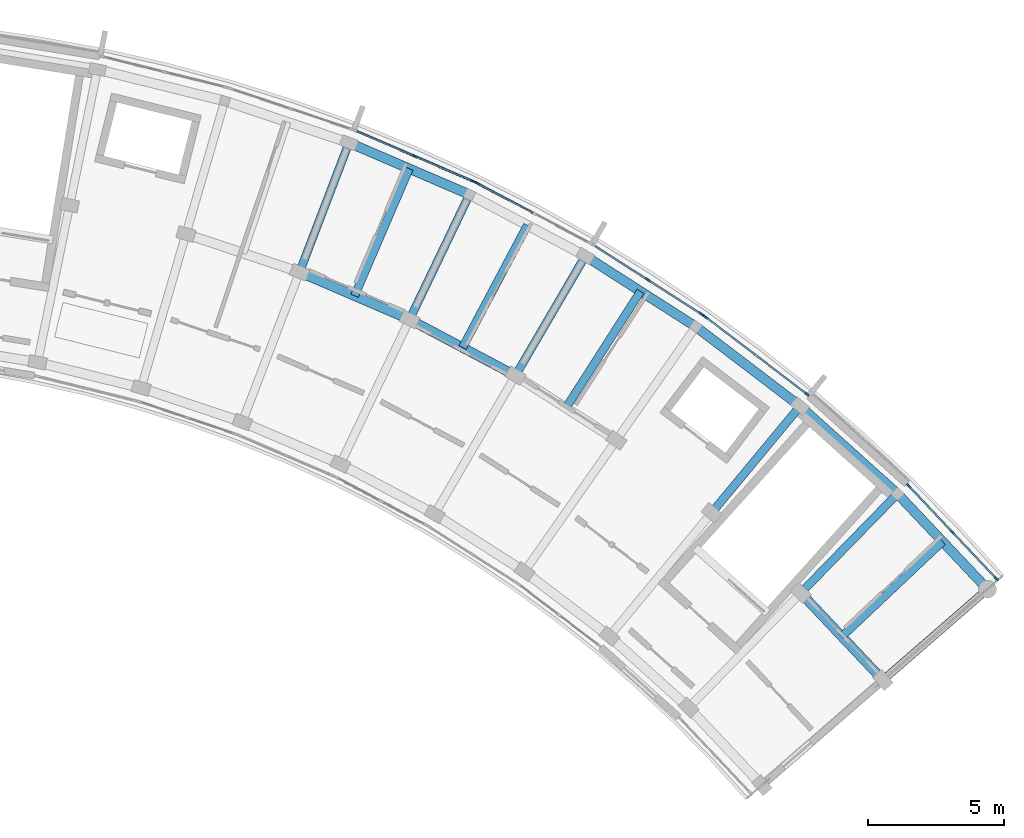
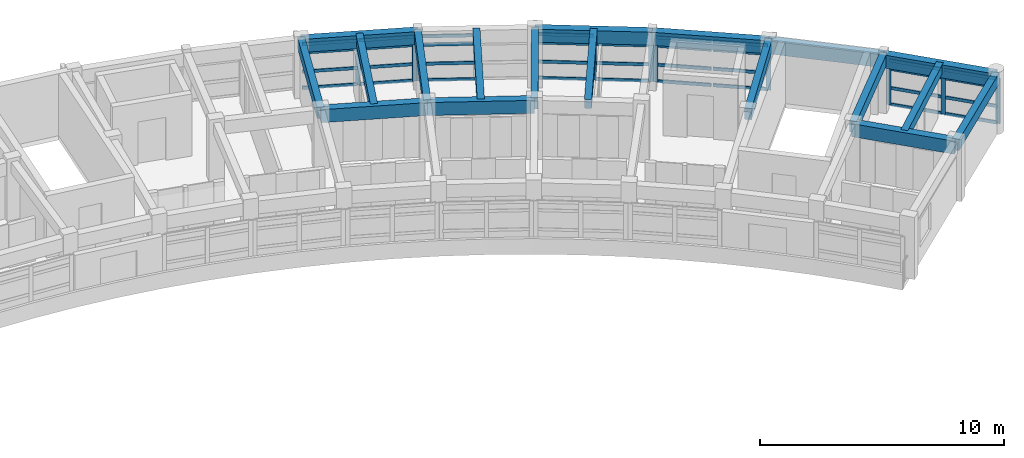
# One storey, part 8 of 23: 45 members, 18 beams, 5 elements without a shape of their own.
"""IFC4 building model written with IfcOpenShell, lengths in metres."""

from ifc_helpers import new_model, si_unit, direction, frame, origin, origin_2d, place, context, subcontext, project, spatial, rectangle, extrude, material, material_profile, profile_set, type_object, element, aggregate, save


model = new_model("IFC4")

# Units and contexts
model_context = context("Model", 3, precision=1e-05, world=origin(), true_north=direction((0.0, 1.0)))
body_context = subcontext(model_context, "Body", "Model", "MODEL_VIEW")
ifc_project = project(units=[si_unit("LENGTHUNIT", "METRE"), si_unit("AREAUNIT", "SQUARE_METRE"), si_unit("VOLUMEUNIT", "CUBIC_METRE"), si_unit("PLANEANGLEUNIT", "RADIAN"), si_unit("MASSUNIT", "GRAM", prefix="KILO")], contexts=[model_context])

# Site, building, storey
site_placement = place(None, origin())
site = spatial("IfcSite", under=ifc_project, at=site_placement, CompositionType="ELEMENT")
building_placement = place(site_placement, origin())
building = spatial("IfcBuilding", under=site, at=building_placement, Name="Zimvara Arc Housing Community", CompositionType="ELEMENT")
storey_placement = place(building_placement, frame((0.0, 0.0, 36.0)))
storey = spatial("IfcBuildingStorey", under=building, at=storey_placement, Name="L11", CompositionType="ELEMENT", Elevation=36.0)

# Beams
ifc_material_1 = material(Name="Concrete C40/50", Category="concrete")
ifc_material_profile_1 = material_profile(ifc_material_1, rectangle(XDim=0.300048828125, YDim=0.449951171875, at=origin_2d()), Name="RC 300x450")
ifc_profile_set_1 = profile_set([ifc_material_profile_1], Name="Concrete C40/50")
beam_type_1 = type_object("IfcBeamType", Name="BM-RC-300x450", PredefinedType="JOIST", material=ifc_profile_set_1)
beam_1_placement = place(storey_placement, frame((66.22802734375, 93.885986328125, 2.695068359375), z_axis=(0.394929109608, 0.918711596958, 0.0), x_axis=(-0.918711596958, 0.394929109608, 0.0)))
element("IfcBeam", 1, at=beam_1_placement, inside=storey, type_object=beam_type_1, Name="bm:blkB:L11:joist:b4", PredefinedType="JOIST", context=body_context, shape_type="SweptSolid", body=[
    extrude(rectangle(XDim=0.300048828125, YDim=0.449951171875, at=origin_2d()), origin(), (0.0, 0.0, 1.0), 5.075927734375),
])
for number, where, z_axis, x_axis, name in (
    (2, (70.186767578125, 91.9892578125, 2.695068359375), (0.46853732736, 0.883443701019, 0.0), (-0.883443701019, 0.46853732736, 0.0), "bm:blkB:L11:joist:b5"),
    (3, (73.9775390625, 89.776123046875, 2.695068359375), (0.539052331508, 0.842272274206, 0.0), (-0.842272274206, 0.539052331508, 0.0), "bm:blkB:L11:joist:b6"),
):
    element("IfcBeam", number, at=place(storey_placement, frame(where, z_axis=z_axis, x_axis=x_axis)), inside=storey, type_object=beam_type_1, Name=name, PredefinedType="JOIST", context=body_context, shape_type="SweptSolid", body=[
        extrude(rectangle(XDim=0.300048828125, YDim=0.449951171875, at=origin_2d()), origin(), (0.0, 0.0, 1.0), 5.07568359375),
    ])
beam_2_placement = place(storey_placement, frame((84.095703125, 81.3935546875, 2.695068359375), z_axis=(0.727299876429, 0.686319815936, 0.0), x_axis=(-0.686319815936, 0.727299876429, 0.0)))
element("IfcBeam", 4, at=beam_2_placement, inside=storey, type_object=beam_type_1, Name="bm:blkB:L11:joist:b9", PredefinedType="JOIST", context=body_context, shape_type="SweptSolid", body=[
    extrude(rectangle(XDim=0.300048828125, YDim=0.449951171875, at=origin_2d()), origin(), (0.0, 0.0, 1.0), 5.075927734375),
])
ifc_material_2 = material(Name="Concrete C40/50", Category="concrete")
ifc_material_profile_2 = material_profile(ifc_material_2, rectangle(XDim=0.300048828125, YDim=0.550048828125, at=origin_2d()), Name="RC 300x550")
ifc_profile_set_2 = profile_set([ifc_material_profile_2], Name="Concrete C40/50")
beam_type_2 = type_object("IfcBeamType", Name="BM-RC-300x550", PredefinedType="BEAM", material=ifc_profile_set_2)
for number, where, z_axis, x_axis, name in (
    (5, (64.2099609375, 94.75341796875, 2.64501953125), (0.357078271386, 0.934074466038, 0.0), (-0.934074466038, 0.357078271386, 0.0), "bm:blkB:L11:rad:b4:r23"),
    (6, (68.24609375, 93.0185546875, 2.64501953125), (0.432098194978, 0.901826563091, 0.0), (-0.901826563091, 0.432098194978, 0.0), "bm:blkB:L11:rad:b5:r23"),
):
    element("IfcBeam", number, at=place(storey_placement, frame(where, z_axis=z_axis, x_axis=x_axis)), inside=storey, type_object=beam_type_2, Name=name, PredefinedType="BEAM", context=body_context, shape_type="SweptSolid", body=[
        extrude(rectangle(XDim=0.300048828125, YDim=0.550048828125, at=origin_2d()), origin(), (0.0, 0.0, 1.0), 5.080078125),
    ])
beam_3_placement = place(storey_placement, frame((72.12744140625, 90.960205078125, 2.64501953125), z_axis=(0.504196701544, 0.863588840915, 0.0), x_axis=(-0.863588840915, 0.504196701544, 0.0)))
element("IfcBeam", 7, at=beam_3_placement, inside=storey, type_object=beam_type_2, Name="bm:blkB:L11:rad:b6:r23", PredefinedType="BEAM", context=body_context, shape_type="SweptSolid", body=[
    extrude(rectangle(XDim=0.300048828125, YDim=0.550048828125, at=origin_2d()), origin(), (0.0, 0.0, 1.0), 5.079833984375),
])
for number, where, z_axis, x_axis, name in (
    (8, (79.322265625, 85.9296875, 2.64501953125), (0.637983669165, 0.77004989311, 0.0), (-0.77004989311, 0.637983669165, 0.0), "bm:blkB:L11:rad:b8:r23"),
    (9, (82.588134765625, 82.9912109375, 2.64501953125), (0.698670885014, 0.71544321538, 0.0), (-0.71544321538, 0.698670885014, 0.0), "bm:blkB:L11:rad:b9:r23"),
    (10, (85.603271484375, 79.7958984375, 2.64501953125), (0.754716217499, 0.656051393599, 0.0), (-0.656051393599, 0.754716217499, 0.0), "bm:blkB:L11:rad:b10:r23"),
):
    element("IfcBeam", number, at=place(storey_placement, frame(where, z_axis=z_axis, x_axis=x_axis)), inside=storey, type_object=beam_type_2, Name=name, PredefinedType="BEAM", context=body_context, shape_type="SweptSolid", body=[
        extrude(rectangle(XDim=0.300048828125, YDim=0.550048828125, at=origin_2d()), origin(), (0.0, 0.0, 1.0), 5.080078125),
    ])
ifc_material_3 = material(Name="Concrete C40/50", Category="concrete")
ifc_material_profile_3 = material_profile(ifc_material_3, rectangle(XDim=0.35009765625, YDim=0.64990234375, at=origin_2d()), Name="RC 350x650")
ifc_profile_set_3 = profile_set([ifc_material_profile_3], Name="Concrete C40/50")
beam_type_3 = type_object("IfcBeamType", Name="BM-RC-350x650", PredefinedType="BEAM", material=ifc_profile_set_3)
for number, where, z_axis, x_axis, name in (
    (11, (64.2099609375, 94.75341796875, 2.594970703125), (0.918724840088, -0.394898301093, 0.0), (0.394898301093, 0.918724840088, 0.0), "bm:blkB:L11:chord:r2:b4"),
    (12, (68.24609375, 93.0185546875, 2.594970703125), (0.883456526058, -0.468513144496, 0.0), (0.468513144496, 0.883456526058, 0.0), "bm:blkB:L11:chord:r2:b5"),
    (13, (82.588134765625, 82.9912109375, 2.594970703125), (0.686303637813, -0.727315142648, 0.0), (0.727315142648, 0.686303637813, 0.0), "bm:blkB:L11:chord:r2:b9"),
):
    element("IfcBeam", number, at=place(storey_placement, frame(where, z_axis=z_axis, x_axis=x_axis)), inside=storey, type_object=beam_type_3, Name=name, PredefinedType="BEAM", context=body_context, shape_type="SweptSolid", body=[
        extrude(rectangle(XDim=0.35009765625, YDim=0.64990234375, at=origin_2d()), origin(), (0.0, 0.0, 1.0), 4.393310546875),
    ])
beam_4_placement = place(storey_placement, frame((66.02392578125, 99.49853515625, 2.594970703125), z_axis=(0.918724276228, -0.394899612901, 0.0), x_axis=(0.394899612901, 0.918724276228, 0.0)))
element("IfcBeam", 14, at=beam_4_placement, inside=storey, type_object=beam_type_3, Name="bm:blkB:L11:chord:r3:b4", PredefinedType="BEAM", context=body_context, shape_type="SweptSolid", body=[
    extrude(rectangle(XDim=0.35009765625, YDim=0.64990234375, at=origin_2d()), origin(), (0.0, 0.0, 1.0), 4.80810546875),
])
beam_5_placement = place(storey_placement, frame((74.688720703125, 95.34716796875, 2.594970703125), z_axis=(0.842255724028, -0.539078190379, 0.0), x_axis=(0.539078190379, 0.842255724028, 0.0)))
element("IfcBeam", 15, at=beam_5_placement, inside=storey, type_object=beam_type_3, Name="bm:blkB:L11:chord:r3:b6", PredefinedType="BEAM", context=body_context, shape_type="SweptSolid", body=[
    extrude(rectangle(XDim=0.35009765625, YDim=0.64990234375, at=origin_2d()), origin(), (0.0, 0.0, 1.0), 4.808349609375),
])
beam_6_placement = place(storey_placement, frame((78.738525390625, 92.755126953125, 2.594970703125), z_axis=(0.795480673672, -0.605978958228, 0.0), x_axis=(0.605978958228, 0.795480673672, 0.0)))
element("IfcBeam", 16, at=beam_6_placement, inside=storey, type_object=beam_type_3, Name="bm:blkB:L11:chord:r3:b7", PredefinedType="BEAM", context=body_context, shape_type="SweptSolid", body=[
    extrude(rectangle(XDim=0.35009765625, YDim=0.64990234375, at=origin_2d()), origin(), (0.0, 0.0, 1.0), 4.80810546875),
])
beam_7_placement = place(storey_placement, frame((82.563232421875, 89.841552734375, 2.594970703125), z_axis=(0.743395133402, -0.668852506637, 0.0), x_axis=(0.668852506637, 0.743395133402, 0.0)))
element("IfcBeam", 17, at=beam_7_placement, inside=storey, type_object=beam_type_3, Name="bm:blkB:L11:chord:r3:b8", PredefinedType="BEAM", context=body_context, shape_type="SweptSolid", body=[
    extrude(rectangle(XDim=0.35009765625, YDim=0.64990234375, at=origin_2d()), origin(), (0.0, 0.0, 1.0), 4.807861328125),
])
beam_8_placement = place(storey_placement, frame((86.137451171875, 86.625732421875, 2.594970703125), z_axis=(0.6862954451, -0.727322873307, 0.0), x_axis=(0.727322873307, 0.6862954451, 0.0)))
element("IfcBeam", 18, at=beam_8_placement, inside=storey, type_object=beam_type_3, Name="bm:blkB:L11:chord:r3:b9", PredefinedType="BEAM", context=body_context, shape_type="SweptSolid", body=[
    extrude(rectangle(XDim=0.35009765625, YDim=0.64990234375, at=origin_2d()), origin(), (0.0, 0.0, 1.0), 4.80810546875),
])

# Curtain wall, members
ifc_material_4 = material(Name="Anodised Aluminium AW-6063", Category="aluminium")
curtain_wall_type_1 = type_object("IfcCurtainWallType", Name="CW-SYS-03", PredefinedType="USERDEFINED", material=ifc_material_4)
curtain_wall_1_placement = place(storey_placement, origin())
curtain_wall_1 = element("IfcCurtainWall", 19, at=curtain_wall_1_placement, inside=storey, type_object=curtain_wall_type_1, Name="cw:blkB:L11:out:b4", ObjectType="CURTAIN WALL", PredefinedType="USERDEFINED")
ifc_material_5 = material(Name="Anodised Aluminium AW-6063", Category="aluminium")
ifc_material_profile_4 = material_profile(ifc_material_5, rectangle(XDim=0.06494140625, YDim=0.195068359375, at=origin_2d()), Name="ALU 65x195")
ifc_profile_set_4 = profile_set([ifc_material_profile_4], Name="Anodised Aluminium AW-6063")
member_type_1 = type_object("IfcMemberType", Name="CWM-65x180", PredefinedType="MULLION", material=ifc_profile_set_4)
member_1_placement = place(storey_placement, frame((68.429931640625, 99.00830078125, 0.0), z_axis=(0.0, 0.0, 1.0), x_axis=(0.394904211998, 0.918722299363, 0.0)))
member_1 = element("IfcMember", 20, at=member_1_placement, type_object=member_type_1, Name="CW03 mullion 2", PredefinedType="MULLION", context=body_context, shape_type="SweptSolid", body=[
    extrude(rectangle(XDim=0.06494140625, YDim=0.195068359375, at=origin_2d()), origin(), (0.0, 0.0, 1.0), 2.25),
])
member_2_placement = place(storey_placement, frame((70.572265625, 98.08740234375, 0.0), z_axis=(0.0, 0.0, 1.0), x_axis=(0.394904211998, 0.918722299363, 0.0)))
member_2 = element("IfcMember", 21, at=member_2_placement, type_object=member_type_1, Name="CW03 mullion 3", PredefinedType="MULLION", context=body_context, shape_type="SweptSolid", body=[
    extrude(rectangle(XDim=0.06494140625, YDim=0.195068359375, at=origin_2d()), origin(), (0.0, 0.0, 1.0), 2.25),
])

# Curtain wall, member
ifc_material_6 = material(Name="Anodised Aluminium AW-6063", Category="aluminium")
curtain_wall_type_2 = type_object("IfcCurtainWallType", Name="CW-SYS-05", PredefinedType="USERDEFINED", material=ifc_material_6)
curtain_wall_2_placement = place(storey_placement, origin())
curtain_wall_2 = element("IfcCurtainWall", 22, at=curtain_wall_2_placement, inside=storey, type_object=curtain_wall_type_2, Name="cw:blkB:L11:out:b5", ObjectType="CURTAIN WALL", PredefinedType="USERDEFINED")
member_3_placement = place(storey_placement, frame((70.739013671875, 98.007568359375, 0.0), z_axis=(0.0, 0.0, 1.0), x_axis=(0.468546917761, 0.883438614651, 0.0)))
member_3 = element("IfcMember", 23, at=member_3_placement, type_object=member_type_1, Name="CW05 mullion 1", PredefinedType="MULLION", context=body_context, shape_type="SweptSolid", body=[
    extrude(rectangle(XDim=0.06494140625, YDim=0.195068359375, at=origin_2d()), origin(), (0.0, 0.0, 1.0), 2.25),
])

# Curtain wall, members
ifc_material_7 = material(Name="Anodised Aluminium AW-6063", Category="aluminium")
curtain_wall_type_3 = type_object("IfcCurtainWallType", Name="CW-SYS-07", PredefinedType="USERDEFINED", material=ifc_material_7)
curtain_wall_3_placement = place(storey_placement, origin())
curtain_wall_3 = element("IfcCurtainWall", 24, at=curtain_wall_3_placement, inside=storey, type_object=curtain_wall_type_3, Name="cw:blkB:L11:out:b6", ObjectType="CURTAIN WALL", PredefinedType="USERDEFINED")
member_4_placement = place(storey_placement, frame((76.98291015625, 94.471923828125, 0.0), z_axis=(0.0, 0.0, 1.0), x_axis=(0.539064617721, 0.842264410931, 0.0)))
member_4 = element("IfcMember", 25, at=member_4_placement, type_object=member_type_1, Name="CW07 mullion 2", PredefinedType="MULLION", context=body_context, shape_type="SweptSolid", body=[
    extrude(rectangle(XDim=0.06494140625, YDim=0.195068359375, at=origin_2d()), origin(), (0.0, 0.0, 1.0), 2.25),
])
member_5_placement = place(storey_placement, frame((78.947021484375, 93.21484375, 0.0), z_axis=(0.0, 0.0, 1.0), x_axis=(0.539064617721, 0.842264410931, 0.0)))
member_5 = element("IfcMember", 26, at=member_5_placement, type_object=member_type_1, Name="CW07 mullion 3", PredefinedType="MULLION", context=body_context, shape_type="SweptSolid", body=[
    extrude(rectangle(XDim=0.06494140625, YDim=0.195068359375, at=origin_2d()), origin(), (0.0, 0.0, 1.0), 2.25),
])

ifc_material_8 = material(Name="Anodised Aluminium AW-6063", Category="aluminium")
curtain_wall_type_4 = type_object("IfcCurtainWallType", Name="CW-SYS-01", PredefinedType="USERDEFINED", material=ifc_material_8)
curtain_wall_4_placement = place(storey_placement, origin())
curtain_wall_4 = element("IfcCurtainWall", 27, at=curtain_wall_4_placement, inside=storey, type_object=curtain_wall_type_4, Name="cw:blkB:L11:out:b7", ObjectType="CURTAIN WALL", PredefinedType="USERDEFINED")
member_6_placement = place(storey_placement, frame((79.0986328125, 93.10888671875, 0.0), z_axis=(0.0, 0.0, 1.0), x_axis=(0.60598771987, 0.795473999177, 0.0)))
member_6 = element("IfcMember", 28, at=member_6_placement, type_object=member_type_1, Name="CW01 mullion 1", PredefinedType="MULLION", context=body_context, shape_type="SweptSolid", body=[
    extrude(rectangle(XDim=0.06494140625, YDim=0.195068359375, at=origin_2d()), origin(), (0.0, 0.0, 1.0), 2.25),
])
member_7_placement = place(storey_placement, frame((82.80859375, 90.28271484375, 0.0), z_axis=(0.0, 0.0, 1.0), x_axis=(0.60598771987, 0.795473999177, 0.0)))
member_7 = element("IfcMember", 29, at=member_7_placement, type_object=member_type_1, Name="CW01 mullion 3", PredefinedType="MULLION", context=body_context, shape_type="SweptSolid", body=[
    extrude(rectangle(XDim=0.06494140625, YDim=0.195068359375, at=origin_2d()), origin(), (0.0, 0.0, 1.0), 2.25),
])

curtain_wall_5_placement = place(storey_placement, origin())
curtain_wall_5 = element("IfcCurtainWall", 30, at=curtain_wall_5_placement, inside=storey, type_object=curtain_wall_type_1, Name="cw:blkB:L11:out:b9", ObjectType="CURTAIN WALL", PredefinedType="USERDEFINED")
member_8_placement = place(storey_placement, frame((86.55029296875, 86.916015625, 0.0), z_axis=(0.0, 0.0, 1.0), x_axis=(0.727293647725, 0.686326416495, 0.0)))
member_8 = element("IfcMember", 31, at=member_8_placement, type_object=member_type_1, Name="CW03 mullion 1", PredefinedType="MULLION", context=body_context, shape_type="SweptSolid", body=[
    extrude(rectangle(XDim=0.06494140625, YDim=0.195068359375, at=origin_2d()), origin(), (0.0, 0.0, 1.0), 2.25),
])
member_9_placement = place(storey_placement, frame((88.150634765625, 85.219970703125, 0.0), z_axis=(0.0, 0.0, 1.0), x_axis=(0.727293647725, 0.686326416495, 0.0)))
member_9 = element("IfcMember", 32, at=member_9_placement, type_object=member_type_1, Name="CW03 mullion 2", PredefinedType="MULLION", context=body_context, shape_type="SweptSolid", body=[
    extrude(rectangle(XDim=0.06494140625, YDim=0.195068359375, at=origin_2d()), origin(), (0.0, 0.0, 1.0), 2.25),
])
member_10_placement = place(storey_placement, frame((89.751220703125, 83.524169921875, 0.0), z_axis=(0.0, 0.0, 1.0), x_axis=(0.727293647725, 0.686326416495, 0.0)))
member_10 = element("IfcMember", 33, at=member_10_placement, type_object=member_type_1, Name="CW03 mullion 3", PredefinedType="MULLION", context=body_context, shape_type="SweptSolid", body=[
    extrude(rectangle(XDim=0.06494140625, YDim=0.195068359375, at=origin_2d()), origin(), (0.0, 0.0, 1.0), 2.25),
])

# Member
ifc_material_9 = material(Name="Anodised Aluminium AW-6063", Category="aluminium")
ifc_material_profile_5 = material_profile(ifc_material_9, rectangle(XDim=0.06494140625, YDim=0.155029296875, at=origin_2d()), Name="ALU 65x155")
ifc_profile_set_5 = profile_set([ifc_material_profile_5], Name="Anodised Aluminium AW-6063")
member_type_2 = type_object("IfcMemberType", Name="CWT-65x140", PredefinedType="USERDEFINED", material=ifc_profile_set_5)
member_11_placement = place(storey_placement, frame((66.3173828125, 99.916259765625, 0.032470703125), z_axis=(0.918704360712, -0.394945942641, 0.0), x_axis=(0.394945942641, 0.918704360712, 0.0)))
member_11 = element("IfcMember", 34, at=member_11_placement, type_object=member_type_2, Name="CW03 transom 1.1", ObjectType="TRANSOM", PredefinedType="USERDEFINED", context=body_context, shape_type="SweptSolid", body=[
    extrude(rectangle(XDim=0.06494140625, YDim=0.155029296875, at=origin_2d()), origin(), (0.0, 0.0, 1.0), 2.266845703125),
])

member_12_placement = place(storey_placement, frame((66.3173828125, 99.916259765625, 0.85009765625), z_axis=(0.918704360712, -0.394945942641, 0.0), x_axis=(0.394945942641, 0.918704360712, 0.0)))
member_12 = element("IfcMember", 35, at=member_12_placement, type_object=member_type_2, Name="CW03 transom 1.2", ObjectType="TRANSOM", PredefinedType="USERDEFINED", context=body_context, shape_type="SweptSolid", body=[
    extrude(rectangle(XDim=0.06494140625, YDim=0.155029296875, at=origin_2d()), origin(), (0.0, 0.0, 1.0), 2.266845703125),
])

member_13_placement = place(storey_placement, frame((66.3173828125, 99.916259765625, 1.800048828125), z_axis=(0.918704360712, -0.394945942641, 0.0), x_axis=(0.394945942641, 0.918704360712, 0.0)))
member_13 = element("IfcMember", 36, at=member_13_placement, type_object=member_type_2, Name="CW03 transom 1.3", ObjectType="TRANSOM", PredefinedType="USERDEFINED", context=body_context, shape_type="SweptSolid", body=[
    extrude(rectangle(XDim=0.06494140625, YDim=0.155029296875, at=origin_2d()), origin(), (0.0, 0.0, 1.0), 2.266845703125),
])

member_14_placement = place(storey_placement, frame((66.3173828125, 99.916259765625, 2.217529296875), z_axis=(0.918704360712, -0.394945942641, 0.0), x_axis=(0.394945942641, 0.918704360712, 0.0)))
member_14 = element("IfcMember", 37, at=member_14_placement, type_object=member_type_2, Name="CW03 transom 1.4", ObjectType="TRANSOM", PredefinedType="USERDEFINED", context=body_context, shape_type="SweptSolid", body=[
    extrude(rectangle(XDim=0.06494140625, YDim=0.155029296875, at=origin_2d()), origin(), (0.0, 0.0, 1.0), 2.266845703125),
])

member_15_placement = place(storey_placement, frame((68.459716796875, 98.995361328125, 0.032470703125), z_axis=(0.918721157939, -0.394906867444, 0.0), x_axis=(0.394906867444, 0.918721157939, 0.0)))
member_15 = element("IfcMember", 38, at=member_15_placement, type_object=member_type_2, Name="CW03 transom 2.1", ObjectType="TRANSOM", PredefinedType="USERDEFINED", context=body_context, shape_type="SweptSolid", body=[
    extrude(rectangle(XDim=0.06494140625, YDim=0.155029296875, at=origin_2d()), origin(), (0.0, 0.0, 1.0), 2.26708984375),
])

member_16_placement = place(storey_placement, frame((68.459716796875, 98.995361328125, 0.85009765625), z_axis=(0.918721157939, -0.394906867444, 0.0), x_axis=(0.394906867444, 0.918721157939, 0.0)))
member_16 = element("IfcMember", 39, at=member_16_placement, type_object=member_type_2, Name="CW03 transom 2.2", ObjectType="TRANSOM", PredefinedType="USERDEFINED", context=body_context, shape_type="SweptSolid", body=[
    extrude(rectangle(XDim=0.06494140625, YDim=0.155029296875, at=origin_2d()), origin(), (0.0, 0.0, 1.0), 2.26708984375),
])

member_17_placement = place(storey_placement, frame((68.459716796875, 98.995361328125, 1.800048828125), z_axis=(0.918721157939, -0.394906867444, 0.0), x_axis=(0.394906867444, 0.918721157939, 0.0)))
member_17 = element("IfcMember", 40, at=member_17_placement, type_object=member_type_2, Name="CW03 transom 2.3", ObjectType="TRANSOM", PredefinedType="USERDEFINED", context=body_context, shape_type="SweptSolid", body=[
    extrude(rectangle(XDim=0.06494140625, YDim=0.155029296875, at=origin_2d()), origin(), (0.0, 0.0, 1.0), 2.26708984375),
])

member_18_placement = place(storey_placement, frame((68.459716796875, 98.995361328125, 2.217529296875), z_axis=(0.918721157939, -0.394906867444, 0.0), x_axis=(0.394906867444, 0.918721157939, 0.0)))
member_18 = element("IfcMember", 41, at=member_18_placement, type_object=member_type_2, Name="CW03 transom 2.4", ObjectType="TRANSOM", PredefinedType="USERDEFINED", context=body_context, shape_type="SweptSolid", body=[
    extrude(rectangle(XDim=0.06494140625, YDim=0.155029296875, at=origin_2d()), origin(), (0.0, 0.0, 1.0), 2.26708984375),
])

aggregate(curtain_wall_1, [member_1, member_2, member_11, member_12, member_13, member_14, member_15, member_16, member_17, member_18])

member_19_placement = place(storey_placement, frame((70.767578125, 97.9921875, 0.032470703125), z_axis=(0.883489114766, -0.468451688107, 0.0), x_axis=(0.468451688107, 0.883489114766, 0.0)))
member_19 = element("IfcMember", 42, at=member_19_placement, type_object=member_type_2, Name="CW05 transom 1.1", ObjectType="TRANSOM", PredefinedType="USERDEFINED", context=body_context, shape_type="SweptSolid", body=[
    extrude(rectangle(XDim=0.06494140625, YDim=0.155029296875, at=origin_2d()), origin(), (0.0, 0.0, 1.0), 2.26708984375),
])

member_20_placement = place(storey_placement, frame((70.767578125, 97.9921875, 0.85009765625), z_axis=(0.883489114766, -0.468451688107, 0.0), x_axis=(0.468451688107, 0.883489114766, 0.0)))
member_20 = element("IfcMember", 43, at=member_20_placement, type_object=member_type_2, Name="CW05 transom 1.2", ObjectType="TRANSOM", PredefinedType="USERDEFINED", context=body_context, shape_type="SweptSolid", body=[
    extrude(rectangle(XDim=0.06494140625, YDim=0.155029296875, at=origin_2d()), origin(), (0.0, 0.0, 1.0), 2.26708984375),
])

member_21_placement = place(storey_placement, frame((70.767578125, 97.9921875, 1.800048828125), z_axis=(0.883489114766, -0.468451688107, 0.0), x_axis=(0.468451688107, 0.883489114766, 0.0)))
member_21 = element("IfcMember", 44, at=member_21_placement, type_object=member_type_2, Name="CW05 transom 1.3", ObjectType="TRANSOM", PredefinedType="USERDEFINED", context=body_context, shape_type="SweptSolid", body=[
    extrude(rectangle(XDim=0.06494140625, YDim=0.155029296875, at=origin_2d()), origin(), (0.0, 0.0, 1.0), 2.26708984375),
])

member_22_placement = place(storey_placement, frame((70.767578125, 97.9921875, 2.217529296875), z_axis=(0.883489114766, -0.468451688107, 0.0), x_axis=(0.468451688107, 0.883489114766, 0.0)))
member_22 = element("IfcMember", 45, at=member_22_placement, type_object=member_type_2, Name="CW05 transom 1.4", ObjectType="TRANSOM", PredefinedType="USERDEFINED", context=body_context, shape_type="SweptSolid", body=[
    extrude(rectangle(XDim=0.06494140625, YDim=0.155029296875, at=origin_2d()), origin(), (0.0, 0.0, 1.0), 2.26708984375),
])

aggregate(curtain_wall_2, [member_3, member_19, member_20, member_21, member_22])

member_23_placement = place(storey_placement, frame((75.046142578125, 95.71142578125, 0.032470703125), z_axis=(0.842292914806, -0.539020079095, 0.0), x_axis=(0.539020079095, 0.842292914806, 0.0)))
member_23 = element("IfcMember", 46, at=member_23_placement, type_object=member_type_2, Name="CW07 transom 1.1", ObjectType="TRANSOM", PredefinedType="USERDEFINED", context=body_context, shape_type="SweptSolid", body=[
    extrude(rectangle(XDim=0.06494140625, YDim=0.155029296875, at=origin_2d()), origin(), (0.0, 0.0, 1.0), 2.266845703125),
])

member_24_placement = place(storey_placement, frame((75.046142578125, 95.71142578125, 0.85009765625), z_axis=(0.842292914806, -0.539020079095, 0.0), x_axis=(0.539020079095, 0.842292914806, 0.0)))
member_24 = element("IfcMember", 47, at=member_24_placement, type_object=member_type_2, Name="CW07 transom 1.2", ObjectType="TRANSOM", PredefinedType="USERDEFINED", context=body_context, shape_type="SweptSolid", body=[
    extrude(rectangle(XDim=0.06494140625, YDim=0.155029296875, at=origin_2d()), origin(), (0.0, 0.0, 1.0), 2.266845703125),
])

member_25_placement = place(storey_placement, frame((75.046142578125, 95.71142578125, 1.800048828125), z_axis=(0.842292914806, -0.539020079095, 0.0), x_axis=(0.539020079095, 0.842292914806, 0.0)))
member_25 = element("IfcMember", 48, at=member_25_placement, type_object=member_type_2, Name="CW07 transom 1.3", ObjectType="TRANSOM", PredefinedType="USERDEFINED", context=body_context, shape_type="SweptSolid", body=[
    extrude(rectangle(XDim=0.06494140625, YDim=0.155029296875, at=origin_2d()), origin(), (0.0, 0.0, 1.0), 2.266845703125),
])

member_26_placement = place(storey_placement, frame((75.046142578125, 95.71142578125, 2.217529296875), z_axis=(0.842292914806, -0.539020079095, 0.0), x_axis=(0.539020079095, 0.842292914806, 0.0)))
member_26 = element("IfcMember", 49, at=member_26_placement, type_object=member_type_2, Name="CW07 transom 1.4", ObjectType="TRANSOM", PredefinedType="USERDEFINED", context=body_context, shape_type="SweptSolid", body=[
    extrude(rectangle(XDim=0.06494140625, YDim=0.155029296875, at=origin_2d()), origin(), (0.0, 0.0, 1.0), 2.266845703125),
])

member_27_placement = place(storey_placement, frame((77.01025390625, 94.454345703125, 0.032470703125), z_axis=(0.842292914806, -0.539020079095, 0.0), x_axis=(0.539020079095, 0.842292914806, 0.0)))
member_27 = element("IfcMember", 50, at=member_27_placement, type_object=member_type_2, Name="CW07 transom 2.1", ObjectType="TRANSOM", PredefinedType="USERDEFINED", context=body_context, shape_type="SweptSolid", body=[
    extrude(rectangle(XDim=0.06494140625, YDim=0.155029296875, at=origin_2d()), origin(), (0.0, 0.0, 1.0), 2.266845703125),
])

member_28_placement = place(storey_placement, frame((77.01025390625, 94.454345703125, 0.85009765625), z_axis=(0.842292914806, -0.539020079095, 0.0), x_axis=(0.539020079095, 0.842292914806, 0.0)))
member_28 = element("IfcMember", 51, at=member_28_placement, type_object=member_type_2, Name="CW07 transom 2.2", ObjectType="TRANSOM", PredefinedType="USERDEFINED", context=body_context, shape_type="SweptSolid", body=[
    extrude(rectangle(XDim=0.06494140625, YDim=0.155029296875, at=origin_2d()), origin(), (0.0, 0.0, 1.0), 2.266845703125),
])

member_29_placement = place(storey_placement, frame((77.01025390625, 94.454345703125, 1.800048828125), z_axis=(0.842292914806, -0.539020079095, 0.0), x_axis=(0.539020079095, 0.842292914806, 0.0)))
member_29 = element("IfcMember", 52, at=member_29_placement, type_object=member_type_2, Name="CW07 transom 2.3", ObjectType="TRANSOM", PredefinedType="USERDEFINED", context=body_context, shape_type="SweptSolid", body=[
    extrude(rectangle(XDim=0.06494140625, YDim=0.155029296875, at=origin_2d()), origin(), (0.0, 0.0, 1.0), 2.266845703125),
])

aggregate(curtain_wall_3, [member_4, member_5, member_23, member_24, member_25, member_26, member_27, member_28, member_29])

member_30_placement = place(storey_placement, frame((79.12451171875, 93.08935546875, 0.032470703125), z_axis=(0.795453969776, -0.606014011363, 0.0), x_axis=(0.606014011363, 0.795453969776, 0.0)))
member_30 = element("IfcMember", 53, at=member_30_placement, type_object=member_type_2, Name="CW01 transom 1.1", ObjectType="TRANSOM", PredefinedType="USERDEFINED", context=body_context, shape_type="SweptSolid", body=[
    extrude(rectangle(XDim=0.06494140625, YDim=0.155029296875, at=origin_2d()), origin(), (0.0, 0.0, 1.0), 2.266845703125),
])

member_31_placement = place(storey_placement, frame((79.12451171875, 93.08935546875, 0.85009765625), z_axis=(0.795453969776, -0.606014011363, 0.0), x_axis=(0.606014011363, 0.795453969776, 0.0)))
member_31 = element("IfcMember", 54, at=member_31_placement, type_object=member_type_2, Name="CW01 transom 1.2", ObjectType="TRANSOM", PredefinedType="USERDEFINED", context=body_context, shape_type="SweptSolid", body=[
    extrude(rectangle(XDim=0.06494140625, YDim=0.155029296875, at=origin_2d()), origin(), (0.0, 0.0, 1.0), 2.266845703125),
])

member_32_placement = place(storey_placement, frame((79.12451171875, 93.08935546875, 1.800048828125), z_axis=(0.795453969776, -0.606014011363, 0.0), x_axis=(0.606014011363, 0.795453969776, 0.0)))
member_32 = element("IfcMember", 55, at=member_32_placement, type_object=member_type_2, Name="CW01 transom 1.3", ObjectType="TRANSOM", PredefinedType="USERDEFINED", context=body_context, shape_type="SweptSolid", body=[
    extrude(rectangle(XDim=0.06494140625, YDim=0.155029296875, at=origin_2d()), origin(), (0.0, 0.0, 1.0), 2.266845703125),
])

member_33_placement = place(storey_placement, frame((79.12451171875, 93.08935546875, 2.217529296875), z_axis=(0.795453969776, -0.606014011363, 0.0), x_axis=(0.606014011363, 0.795453969776, 0.0)))
member_33 = element("IfcMember", 56, at=member_33_placement, type_object=member_type_2, Name="CW01 transom 1.4", ObjectType="TRANSOM", PredefinedType="USERDEFINED", context=body_context, shape_type="SweptSolid", body=[
    extrude(rectangle(XDim=0.06494140625, YDim=0.155029296875, at=origin_2d()), origin(), (0.0, 0.0, 1.0), 2.266845703125),
])

member_34_placement = place(storey_placement, frame((80.9794921875, 91.676025390625, 0.032470703125), z_axis=(0.795505886513, -0.605945859399, 0.0), x_axis=(0.605945859399, 0.795505886513, 0.0)))
member_34 = element("IfcMember", 57, at=member_34_placement, type_object=member_type_2, Name="CW01 transom 2.1", ObjectType="TRANSOM", PredefinedType="USERDEFINED", context=body_context, shape_type="SweptSolid", body=[
    extrude(rectangle(XDim=0.06494140625, YDim=0.155029296875, at=origin_2d()), origin(), (0.0, 0.0, 1.0), 2.266845703125),
])

member_35_placement = place(storey_placement, frame((80.9794921875, 91.676025390625, 0.85009765625), z_axis=(0.795505886513, -0.605945859399, 0.0), x_axis=(0.605945859399, 0.795505886513, 0.0)))
member_35 = element("IfcMember", 58, at=member_35_placement, type_object=member_type_2, Name="CW01 transom 2.2", ObjectType="TRANSOM", PredefinedType="USERDEFINED", context=body_context, shape_type="SweptSolid", body=[
    extrude(rectangle(XDim=0.06494140625, YDim=0.155029296875, at=origin_2d()), origin(), (0.0, 0.0, 1.0), 2.266845703125),
])

member_36_placement = place(storey_placement, frame((80.9794921875, 91.676025390625, 1.800048828125), z_axis=(0.795505886513, -0.605945859399, 0.0), x_axis=(0.605945859399, 0.795505886513, 0.0)))
member_36 = element("IfcMember", 59, at=member_36_placement, type_object=member_type_2, Name="CW01 transom 2.3", ObjectType="TRANSOM", PredefinedType="USERDEFINED", context=body_context, shape_type="SweptSolid", body=[
    extrude(rectangle(XDim=0.06494140625, YDim=0.155029296875, at=origin_2d()), origin(), (0.0, 0.0, 1.0), 2.266845703125),
])

member_37_placement = place(storey_placement, frame((80.9794921875, 91.676025390625, 2.217529296875), z_axis=(0.795505886513, -0.605945859399, 0.0), x_axis=(0.605945859399, 0.795505886513, 0.0)))
member_37 = element("IfcMember", 60, at=member_37_placement, type_object=member_type_2, Name="CW01 transom 2.4", ObjectType="TRANSOM", PredefinedType="USERDEFINED", context=body_context, shape_type="SweptSolid", body=[
    extrude(rectangle(XDim=0.06494140625, YDim=0.155029296875, at=origin_2d()), origin(), (0.0, 0.0, 1.0), 2.266845703125),
])

aggregate(curtain_wall_4, [member_6, member_7, member_30, member_31, member_32, member_33, member_34, member_35, member_36, member_37])

member_38_placement = place(storey_placement, frame((86.572509765625, 86.892333984375, 0.032470703125), z_axis=(0.686348357589, -0.727272941911, 0.0), x_axis=(0.727272941911, 0.686348357589, 0.0)))
member_38 = element("IfcMember", 61, at=member_38_placement, type_object=member_type_2, Name="CW03 transom 1.1", ObjectType="TRANSOM", PredefinedType="USERDEFINED", context=body_context, shape_type="SweptSolid", body=[
    extrude(rectangle(XDim=0.06494140625, YDim=0.155029296875, at=origin_2d()), origin(), (0.0, 0.0, 1.0), 2.266845703125),
])

member_39_placement = place(storey_placement, frame((86.572509765625, 86.892333984375, 0.85009765625), z_axis=(0.686348357589, -0.727272941911, 0.0), x_axis=(0.727272941911, 0.686348357589, 0.0)))
member_39 = element("IfcMember", 62, at=member_39_placement, type_object=member_type_2, Name="CW03 transom 1.2", ObjectType="TRANSOM", PredefinedType="USERDEFINED", context=body_context, shape_type="SweptSolid", body=[
    extrude(rectangle(XDim=0.06494140625, YDim=0.155029296875, at=origin_2d()), origin(), (0.0, 0.0, 1.0), 2.266845703125),
])

member_40_placement = place(storey_placement, frame((86.572509765625, 86.892333984375, 1.800048828125), z_axis=(0.686348357589, -0.727272941911, 0.0), x_axis=(0.727272941911, 0.686348357589, 0.0)))
member_40 = element("IfcMember", 63, at=member_40_placement, type_object=member_type_2, Name="CW03 transom 1.3", ObjectType="TRANSOM", PredefinedType="USERDEFINED", context=body_context, shape_type="SweptSolid", body=[
    extrude(rectangle(XDim=0.06494140625, YDim=0.155029296875, at=origin_2d()), origin(), (0.0, 0.0, 1.0), 2.266845703125),
])

member_41_placement = place(storey_placement, frame((86.572509765625, 86.892333984375, 2.217529296875), z_axis=(0.686348357589, -0.727272941911, 0.0), x_axis=(0.727272941911, 0.686348357589, 0.0)))
member_41 = element("IfcMember", 64, at=member_41_placement, type_object=member_type_2, Name="CW03 transom 1.4", ObjectType="TRANSOM", PredefinedType="USERDEFINED", context=body_context, shape_type="SweptSolid", body=[
    extrude(rectangle(XDim=0.06494140625, YDim=0.155029296875, at=origin_2d()), origin(), (0.0, 0.0, 1.0), 2.266845703125),
])

member_42_placement = place(storey_placement, frame((88.173095703125, 85.196533203125, 0.032470703125), z_axis=(0.68623762882, -0.727377423894, 0.0), x_axis=(0.727377423894, 0.68623762882, 0.0)))
member_42 = element("IfcMember", 65, at=member_42_placement, type_object=member_type_2, Name="CW03 transom 2.1", ObjectType="TRANSOM", PredefinedType="USERDEFINED", context=body_context, shape_type="SweptSolid", body=[
    extrude(rectangle(XDim=0.06494140625, YDim=0.155029296875, at=origin_2d()), origin(), (0.0, 0.0, 1.0), 2.266845703125),
])

member_43_placement = place(storey_placement, frame((88.173095703125, 85.196533203125, 0.85009765625), z_axis=(0.68623762882, -0.727377423894, 0.0), x_axis=(0.727377423894, 0.68623762882, 0.0)))
member_43 = element("IfcMember", 66, at=member_43_placement, type_object=member_type_2, Name="CW03 transom 2.2", ObjectType="TRANSOM", PredefinedType="USERDEFINED", context=body_context, shape_type="SweptSolid", body=[
    extrude(rectangle(XDim=0.06494140625, YDim=0.155029296875, at=origin_2d()), origin(), (0.0, 0.0, 1.0), 2.266845703125),
])

member_44_placement = place(storey_placement, frame((88.173095703125, 85.196533203125, 1.800048828125), z_axis=(0.68623762882, -0.727377423894, 0.0), x_axis=(0.727377423894, 0.68623762882, 0.0)))
member_44 = element("IfcMember", 67, at=member_44_placement, type_object=member_type_2, Name="CW03 transom 2.3", ObjectType="TRANSOM", PredefinedType="USERDEFINED", context=body_context, shape_type="SweptSolid", body=[
    extrude(rectangle(XDim=0.06494140625, YDim=0.155029296875, at=origin_2d()), origin(), (0.0, 0.0, 1.0), 2.266845703125),
])

member_45_placement = place(storey_placement, frame((88.173095703125, 85.196533203125, 2.217529296875), z_axis=(0.68623762882, -0.727377423894, 0.0), x_axis=(0.727377423894, 0.68623762882, 0.0)))
member_45 = element("IfcMember", 68, at=member_45_placement, type_object=member_type_2, Name="CW03 transom 2.4", ObjectType="TRANSOM", PredefinedType="USERDEFINED", context=body_context, shape_type="SweptSolid", body=[
    extrude(rectangle(XDim=0.06494140625, YDim=0.155029296875, at=origin_2d()), origin(), (0.0, 0.0, 1.0), 2.266845703125),
])

aggregate(curtain_wall_5, [member_8, member_9, member_10, member_38, member_39, member_40, member_41, member_42, member_43, member_44, member_45])

save(model, "model.ifc")
